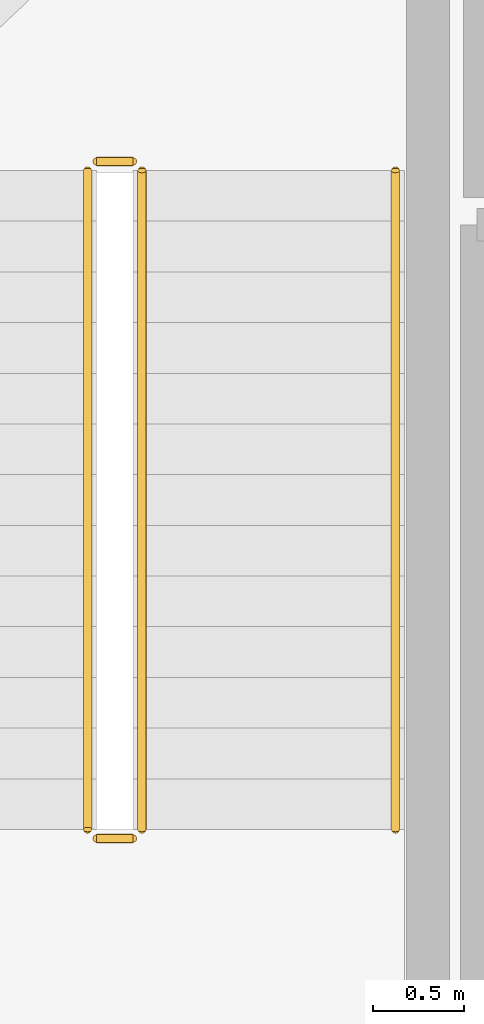
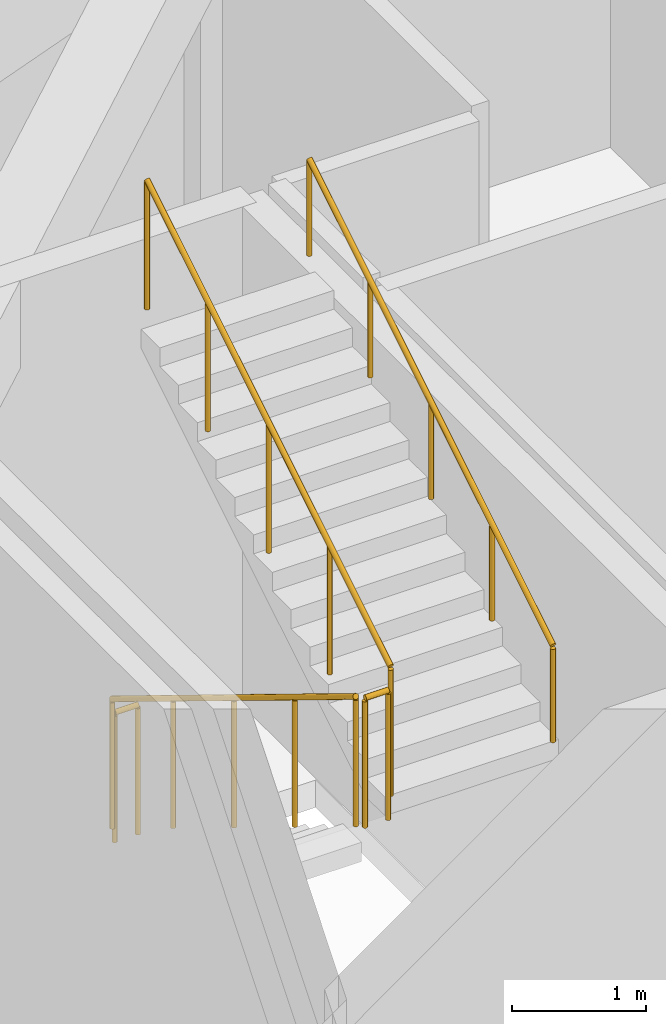
# One storey, part 10 of 11: 5 railings.
"""IFC4 building model written with IfcOpenShell, lengths in metres."""

from ifc_helpers import new_model, si_unit, direction, frame, origin, origin_2d, place, context, subcontext, project, spatial, circle, extrude, material, type_object, element, save


model = new_model("IFC4")

# Units and contexts
model_context = context("Model", 3, precision=1e-05, world=origin(), true_north=direction((0.0, 1.0)))
body_context = subcontext(model_context, "Body", "Model", "MODEL_VIEW")
ifc_project = project(units=[si_unit("LENGTHUNIT", "METRE"), si_unit("AREAUNIT", "SQUARE_METRE"), si_unit("VOLUMEUNIT", "CUBIC_METRE"), si_unit("PLANEANGLEUNIT", "RADIAN"), si_unit("MASSUNIT", "GRAM", prefix="KILO")], contexts=[model_context])

# Site, building, storey
site_placement = place(None, origin())
site = spatial("IfcSite", under=ifc_project, at=site_placement, CompositionType="ELEMENT")
building_placement = place(site_placement, origin())
building = spatial("IfcBuilding", under=site, at=building_placement, Name="Gaonmaruhae Medical Tower", CompositionType="ELEMENT")
storey_placement = place(building_placement, frame((0.0, 0.0, -4.800048828125)))
storey = spatial("IfcBuildingStorey", under=building, at=storey_placement, Name="B01", CompositionType="ELEMENT", Elevation=-4.800048828125)

# Railings
ifc_material_1 = material(Name="Stainless steel 304 handrail", Category="steel")
railing_type_1 = type_object("IfcRailingType", Name="HR-092 Continuous Stainless Steel Stair Handrail", PredefinedType="HANDRAIL", material=ifc_material_1)
railing_1_placement = place(storey_placement, frame((14.35009765625, 40.659912109375, 2.571533203125)))
element("IfcRailing", 1, at=railing_1_placement, inside=storey, type_object=railing_type_1, Name="B01 ST-05 stair handrail 2", PredefinedType="HANDRAIL", context=body_context, shape_type="SweptSolid", body=[
    extrude(circle(Radius=0.02392578125, at=origin_2d()), frame((0.0, 0.0, 0.8759765625), z_axis=(0.0, 0.852865859571, 0.52213008492), x_axis=(-1.0, 0.0, 0.0)), (0.0, 0.0, 1.0), 4.26806640625),
    extrude(circle(Radius=0.02099609375, at=origin_2d()), origin(), (0.0, 0.0, 1.0), 0.851806640625),
    extrude(circle(Radius=0.02099609375, at=origin_2d()), frame((0.0, 0.91015625, 0.55712890625)), (0.0, 0.0, 1.0), 0.851806640625),
    extrude(circle(Radius=0.02099609375, at=origin_2d()), frame((0.0, 1.820068359375, 1.1142578125)), (0.0, 0.0, 1.0), 0.851806640625),
    extrude(circle(Radius=0.02099609375, at=origin_2d()), frame((0.0, 2.72998046875, 1.67138671875)), (0.0, 0.0, 1.0), 0.851806640625),
    extrude(circle(Radius=0.02099609375, at=origin_2d()), frame((0.0, 3.64013671875, 2.228515625)), (0.0, 0.0, 1.0), 0.851806640625),
])
ifc_material_2 = material(Name="Stainless steel 304 balustrade", Category="steel")
railing_type_2 = type_object("IfcRailingType", Name="SG-112 Stair Well & Ramp Void Safety Balustrade", PredefinedType="BALUSTRADE", material=ifc_material_2)
railing_2_placement = place(storey_placement, frame((12.64990234375, 44.300048828125, 0.17138671875)))
element("IfcRailing", 2, at=railing_2_placement, inside=storey, type_object=railing_type_2, Name="B01 ST-05 stair guard 1", PredefinedType="BALUSTRADE", context=body_context, shape_type="SweptSolid", body=[
    extrude(circle(Radius=0.02392578125, at=origin_2d()), frame((0.0, 0.0, 1.17578125), z_axis=(0.0, -0.852840387347, 0.522171689878), x_axis=(1.0, 0.0, 0.0)), (0.0, 0.0, 1.0), 4.268310546875),
    extrude(circle(Radius=0.02099609375, at=origin_2d()), origin(), (0.0, 0.0, 1.0), 1.15185546875),
    extrude(circle(Radius=0.02099609375, at=origin_2d()), frame((0.0, -0.91015625, 0.55712890625)), (0.0, 0.0, 1.0), 1.15185546875),
    extrude(circle(Radius=0.02099609375, at=origin_2d()), frame((0.0, -1.820068359375, 1.1142578125)), (0.0, 0.0, 1.0), 1.15185546875),
    extrude(circle(Radius=0.02099609375, at=origin_2d()), frame((0.0, -2.72998046875, 1.671630859375)), (0.0, 0.0, 1.0), 1.15185546875),
    extrude(circle(Radius=0.02099609375, at=origin_2d()), frame((0.0, -3.64013671875, 2.228759765625)), (0.0, 0.0, 1.0), 1.15185546875),
])
railing_3_placement = place(storey_placement, frame((12.699951171875, 40.610107421875, 2.400146484375)))
element("IfcRailing", 3, at=railing_3_placement, inside=storey, type_object=railing_type_2, Name="B01 ST-05 stair guard 2", PredefinedType="BALUSTRADE", context=body_context, shape_type="SweptSolid", body=[
    extrude(circle(Radius=0.02392578125, at=origin_2d()), frame((0.0, 0.0, 1.17578125), z_axis=(1.0, 0.0, 0.0), x_axis=(0.0, 1.0, 0.0)), (0.0, 0.0, 1.0), 0.199951171875),
    extrude(circle(Radius=0.02099609375, at=origin_2d()), origin(), (0.0, 0.0, 1.0), 1.15185546875),
    extrude(circle(Radius=0.02099609375, at=origin_2d()), frame((0.199951171875, 0.0, 0.0)), (0.0, 0.0, 1.0), 1.15185546875),
])
railing_4_placement = place(storey_placement, frame((12.949951171875, 40.659912109375, 2.571533203125)))
element("IfcRailing", 4, at=railing_4_placement, inside=storey, type_object=railing_type_2, Name="B01 ST-05 stair guard 3", PredefinedType="BALUSTRADE", context=body_context, shape_type="SweptSolid", body=[
    extrude(circle(Radius=0.02392578125, at=origin_2d()), frame((0.0, 0.0, 1.17578125), z_axis=(0.0, 0.852865859571, 0.52213008492), x_axis=(-1.0, 0.0, 0.0)), (0.0, 0.0, 1.0), 4.26806640625),
    extrude(circle(Radius=0.02099609375, at=origin_2d()), origin(), (0.0, 0.0, 1.0), 1.15185546875),
    extrude(circle(Radius=0.02099609375, at=origin_2d()), frame((0.0, 0.91015625, 0.55712890625)), (0.0, 0.0, 1.0), 1.15185546875),
    extrude(circle(Radius=0.02099609375, at=origin_2d()), frame((0.0, 1.820068359375, 1.1142578125)), (0.0, 0.0, 1.0), 1.15185546875),
    extrude(circle(Radius=0.02099609375, at=origin_2d()), frame((0.0, 2.72998046875, 1.67138671875)), (0.0, 0.0, 1.0), 1.15185546875),
    extrude(circle(Radius=0.02099609375, at=origin_2d()), frame((0.0, 3.64013671875, 2.228515625)), (0.0, 0.0, 1.0), 1.15185546875),
])
railing_5_placement = place(storey_placement, frame((12.699951171875, 44.35009765625, 0.0)))
element("IfcRailing", 5, at=railing_5_placement, inside=storey, type_object=railing_type_2, Name="B01 ST-05 stair guard 4", PredefinedType="BALUSTRADE", context=body_context, shape_type="SweptSolid", body=[
    extrude(circle(Radius=0.02392578125, at=origin_2d()), frame((0.0, 0.0, 1.17578125), z_axis=(1.0, 0.0, 0.0), x_axis=(0.0, 1.0, 0.0)), (0.0, 0.0, 1.0), 0.199951171875),
    extrude(circle(Radius=0.02099609375, at=origin_2d()), origin(), (0.0, 0.0, 1.0), 1.15185546875),
    extrude(circle(Radius=0.02099609375, at=origin_2d()), frame((0.199951171875, 0.0, 0.0)), (0.0, 0.0, 1.0), 1.15185546875),
])

save(model, "model.ifc")
